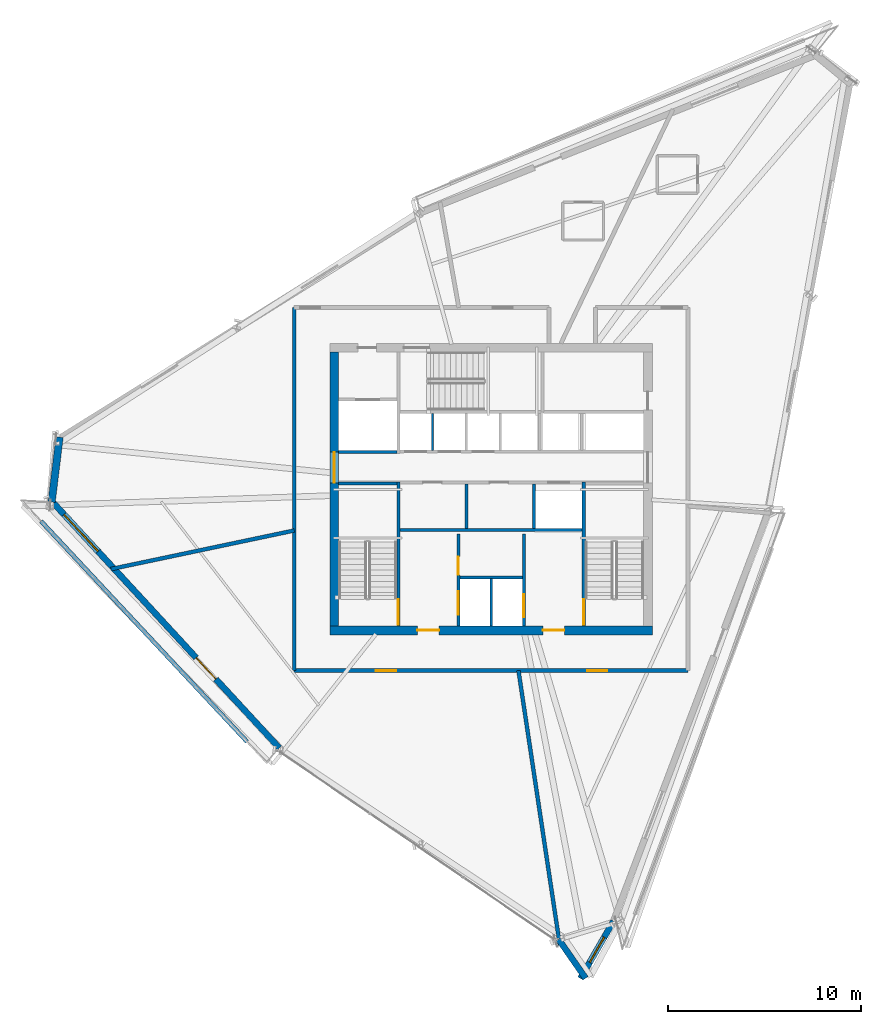
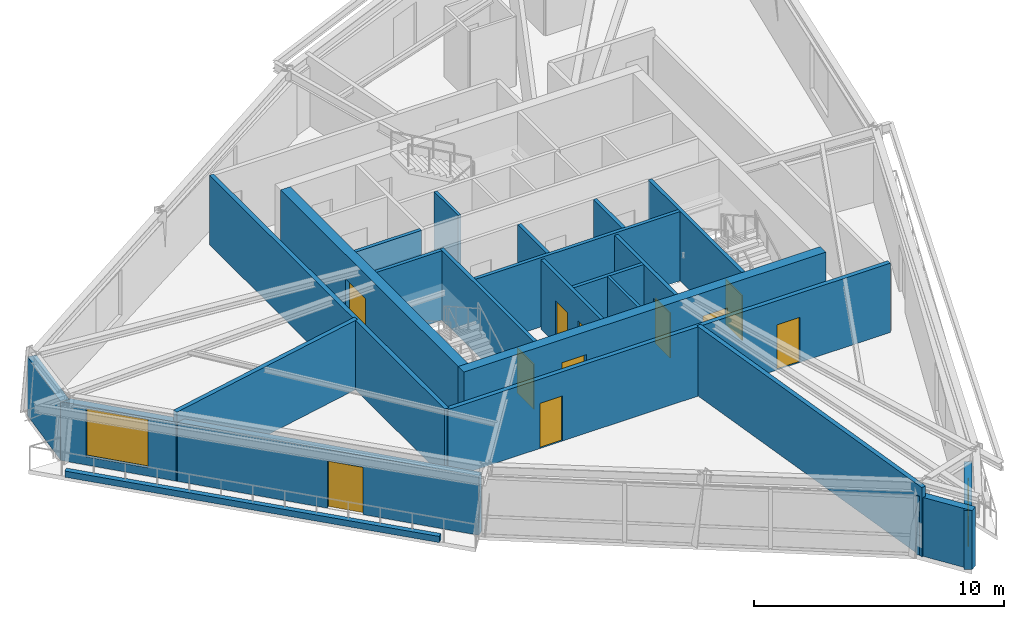
# One storey, part 8 of 13: 23 walls, 11 doors, 2 windows, 13 openings.
"""IFC4 building model written with IfcOpenShell, lengths in metres."""

from ifc_helpers import new_model, si_unit, direction, frame, frame_2d, origin, place, context, subcontext, project, spatial, rectangle, extrude, source, transform, mapped, material, layer, layer_set, type_object, type_shapes, element, fill, save


model = new_model("IFC4")

# Units and contexts
model_context = context("Model", 3, precision=1e-05, world=origin(), true_north=direction((0.0, 1.0)))
body_context = subcontext(model_context, "Body", "Model", "MODEL_VIEW")
ifc_project = project(units=[si_unit("LENGTHUNIT", "METRE"), si_unit("AREAUNIT", "SQUARE_METRE"), si_unit("VOLUMEUNIT", "CUBIC_METRE"), si_unit("PLANEANGLEUNIT", "RADIAN"), si_unit("MASSUNIT", "GRAM", prefix="KILO")], contexts=[model_context])

# Site, building, storey
site_placement = place(None, origin())
site = spatial("IfcSite", under=ifc_project, at=site_placement, CompositionType="ELEMENT")
building_placement = place(site_placement, origin())
building = spatial("IfcBuilding", under=site, at=building_placement, Name="Olszyna Solenne Hotel", CompositionType="ELEMENT")
storey_placement = place(building_placement, frame((0.0, 0.0, 241.699951171875)))
storey = spatial("IfcBuildingStorey", under=building, at=storey_placement, Name="L64", CompositionType="ELEMENT", Elevation=241.699951171875)

# Wall, openings, doors
ifc_material_1 = material(Name="Concrete C50/60", Category="concrete")
ifc_layer_1 = layer(ifc_material_1, 0.449951171875, Name="Concrete C50/60")
ifc_layer_set_1 = layer_set([ifc_layer_1], Name="Concrete C50/60")
wall_type_1 = type_object("IfcWallType", Name="WL-CR450", PredefinedType="SHEAR", material=ifc_layer_set_1)
wall_1_placement = place(storey_placement, frame((46.35009765625, 19.27490234375, 0.0), z_axis=(0.0, 0.0, 1.0), x_axis=(-1.0, 0.0, 0.0)))
wall_1 = element("IfcWall", 1, at=wall_1_placement, inside=storey, type_object=wall_type_1, Name="Core shear wall WL-CR450 CRW-L64-S", PredefinedType="SHEAR", context=body_context, shape_type="SweptSolid", body=[
    extrude(rectangle(XDim=16.7001953125, YDim=0.449951171875, at=frame_2d((8.35009765625, 0.0))), origin(), (0.0, 0.0, 1.0), 3.380126953125),
])
opening_1_placement = place(wall_1_placement, frame((4.550048828125, 0.0, 0.0)))
opening_1 = element("IfcOpeningElement", 2, at=opening_1_placement, cuts=wall_1, Name="Opening FL-L64-1", PredefinedType="OPENING", context=body_context, shape_type="SweptSolid", body=[
    extrude(rectangle(XDim=1.1201171875, YDim=2.25, at=frame_2d((0.56005859375, 1.125))), frame((0.0, 0.23486328125, 0.0), z_axis=(0.0, -1.0, 0.0), x_axis=(1.0, 0.0, 0.0)), (0.0, 0.0, 1.0), 0.469970703125),
])
opening_2_placement = place(wall_1_placement, frame((11.050048828125, 0.0, 0.0)))
opening_2 = element("IfcOpeningElement", 3, at=opening_2_placement, cuts=wall_1, Name="Opening FL-L64-2", PredefinedType="OPENING", context=body_context, shape_type="SweptSolid", body=[
    extrude(rectangle(XDim=1.1201171875, YDim=2.25, at=frame_2d((0.56005859375, 1.125))), frame((0.0, 0.23486328125, 0.0), z_axis=(0.0, -1.0, 0.0), x_axis=(1.0, 0.0, 0.0)), (0.0, 0.0, 1.0), 0.469970703125),
])
ifc_material_2 = material(Name="Steel S355J2", Category="steel")
door_type_1 = type_object("IfcDoorType", Name="DR-FL1", OperationType="NOTDEFINED", PredefinedType="DOOR", material=ifc_material_2)
shared_shape_1 = source(origin(), body_context, "Body", "SweptSolid", [
    extrude(rectangle(XDim=1.1201171875, YDim=2.25, at=frame_2d((0.56005859375, 1.125))), frame((0.0, 0.02490234375, 0.0), z_axis=(0.0, -1.0, 0.0), x_axis=(1.0, 0.0, 0.0)), (0.0, 0.0, 1.0), 0.050048828125),
])
type_shapes(door_type_1, [shared_shape_1])
door_1_placement = place(opening_1_placement, origin())
door_1 = element("IfcDoor", 4, at=door_1_placement, inside=storey, type_object=door_type_1, Name="Firefighting lift lobby smoke door FL-L64-1", OperationType="SINGLE_SWING_LEFT", OverallHeight=2.25, OverallWidth=1.1201171875, PredefinedType="DOOR", context=body_context, shape_type="MappedRepresentation", body=[
    mapped(shared_shape_1, transform((0.0, 0.0, 0.0), x_axis=(1.0, 0.0, 0.0), y_axis=(0.0, 1.0, 0.0), z_axis=(0.0, 0.0, 1.0), scale=1.0)),
])
fill(opening_1, door_1)
door_2_placement = place(opening_2_placement, origin())
door_2 = element("IfcDoor", 5, at=door_2_placement, inside=storey, type_object=door_type_1, Name="Firefighting lift lobby smoke door FL-L64-2", OperationType="SINGLE_SWING_RIGHT", OverallHeight=2.25, OverallWidth=1.1201171875, PredefinedType="DOOR", context=body_context, shape_type="MappedRepresentation", body=[
    mapped(shared_shape_1, transform((0.0, 0.0, 0.0), x_axis=(1.0, 0.0, 0.0), y_axis=(0.0, 1.0, 0.0), z_axis=(0.0, 0.0, 1.0), scale=1.0)),
])
fill(opening_2, door_2)

# Wall, opening, door
wall_2_placement = place(storey_placement, frame((29.875, 19.5, 0.0), z_axis=(0.0, 0.0, 1.0), x_axis=(0.0, 1.0, 0.0)))
wall_2 = element("IfcWall", 6, at=wall_2_placement, inside=storey, type_object=wall_type_1, Name="Core shear wall WL-CR450 CRW-L64-W", PredefinedType="SHEAR", context=body_context, shape_type="SweptSolid", body=[
    extrude(rectangle(XDim=14.199951171875, YDim=0.449951171875, at=frame_2d((7.10009765625, 0.0))), origin(), (0.0, 0.0, 1.0), 3.380126953125),
])
opening_3_placement = place(wall_2_placement, frame((7.419921875, 0.0, 0.0)))
opening_3 = element("IfcOpeningElement", 7, at=opening_3_placement, cuts=wall_2, Name="Opening LHD-L64-W", PredefinedType="OPENING", context=body_context, shape_type="SweptSolid", body=[
    extrude(rectangle(XDim=1.60009765625, YDim=2.199951171875, at=frame_2d((0.800048828125, 1.10009765625))), frame((0.0, 0.23486328125, 0.0), z_axis=(0.0, -1.0, 0.0), x_axis=(1.0, 0.0, 0.0)), (0.0, 0.0, 1.0), 0.469970703125),
])
ifc_material_3 = material(Name="Timber hardwood", Category="wood")
door_type_2 = type_object("IfcDoorType", Name="DR-CR1", OperationType="DOUBLE_DOOR_SINGLE_SWING", PredefinedType="DOOR", material=ifc_material_3)
shared_shape_2 = source(origin(), body_context, "Body", "SweptSolid", [
    extrude(rectangle(XDim=1.60009765625, YDim=2.199951171875, at=frame_2d((0.800048828125, 1.10009765625))), frame((0.0, 0.02490234375, 0.0), z_axis=(0.0, -1.0, 0.0), x_axis=(1.0, 0.0, 0.0)), (0.0, 0.0, 1.0), 0.050048828125),
])
type_shapes(door_type_2, [shared_shape_2])
door_3_placement = place(opening_3_placement, origin())
door_3 = element("IfcDoor", 8, at=door_3_placement, inside=storey, type_object=door_type_2, Name="Passenger lift lobby West fire door LHD-L64-W", OperationType="DOUBLE_DOOR_SINGLE_SWING", OverallHeight=2.199951171875, OverallWidth=1.60009765625, PredefinedType="DOOR", context=body_context, shape_type="MappedRepresentation", body=[
    mapped(shared_shape_2, transform((0.0, 0.0, 0.0), x_axis=(1.0, 0.0, 0.0), y_axis=(0.0, 1.0, 0.0), z_axis=(0.0, 0.0, 1.0), scale=1.0)),
])
fill(opening_3, door_3)

# Wall, opening, window
ifc_material_4 = material(Name="Precast concrete C45/55", Category="concrete")
ifc_layer_2 = layer(ifc_material_4, 0.320068359375, Name="Precast concrete C45/55")
ifc_layer_set_2 = layer_set([ifc_layer_2], Name="Precast concrete C45/55")
wall_type_2 = type_object("IfcWallType", Name="WL-EX320", PredefinedType="SOLIDWALL", material=ifc_layer_set_2)
wall_3_placement = place(storey_placement, frame((44.343505859375, 4.215087890625, 0.0), z_axis=(0.0, 0.0, 1.0), x_axis=(-0.500640512014, -0.865655288051, 0.0)))
wall_3 = element("IfcWall", 9, at=wall_3_placement, inside=storey, type_object=wall_type_2, Name="Exterior terracotta-precast frame wall WL-EX320 EW-L64-02", PredefinedType="SOLIDWALL", context=body_context, shape_type="SweptSolid", body=[
    extrude(rectangle(XDim=3.42919921875, YDim=0.320068359375, at=frame_2d((1.714599609375, 0.0))), origin(), (0.0, 0.0, 1.0), 2.8720703125),
])
opening_4_placement = place(wall_3_placement, frame((0.965087890625, 0.0, 0.451904296875)))
opening_4 = element("IfcOpeningElement", 10, at=opening_4_placement, cuts=wall_3, Name="Opening WN-L64-418", PredefinedType="OPENING", context=body_context, shape_type="SweptSolid", body=[
    extrude(rectangle(XDim=1.5, YDim=2.300048828125, at=frame_2d((0.75, 1.14990234375))), frame((0.0, 0.169921875, 0.0), z_axis=(0.0, -1.0, 0.0), x_axis=(1.0, 0.0, 0.0)), (0.0, 0.0, 1.0), 0.340087890625),
])
ifc_material_5 = material(Name="Low-E triple glazing", Category="glass")
window_type_1 = type_object("IfcWindowType", Name="WN-CH1", PartitioningType="SINGLE_PANEL", PredefinedType="WINDOW", material=ifc_material_5)
shared_shape_3 = source(origin(), body_context, "Body", "SweptSolid", [
    extrude(rectangle(XDim=1.5, YDim=2.300048828125, at=frame_2d((0.75, 1.14990234375))), frame((0.0, 0.030029296875, 0.0), z_axis=(0.0, -1.0, 0.0), x_axis=(1.0, 0.0, 0.0)), (0.0, 0.0, 1.0), 0.06005859375),
])
type_shapes(window_type_1, [shared_shape_3])
window_1_placement = place(opening_4_placement, origin())
window_1 = element("IfcWindow", 11, at=window_1_placement, inside=storey, type_object=window_type_1, Name="Exterior facade window WN-CH1 WN-L64-418", OverallHeight=2.300048828125, OverallWidth=1.5, PartitioningType="SINGLE_PANEL", PredefinedType="WINDOW", context=body_context, shape_type="MappedRepresentation", body=[
    mapped(shared_shape_3, transform((0.0, 0.0, 0.0), x_axis=(1.0, 0.0, 0.0), y_axis=(0.0, 1.0, 0.0), z_axis=(0.0, 0.0, 1.0), scale=1.0)),
])
fill(opening_4, window_1)

# Wall
wall_4_placement = place(storey_placement, frame((42.896484375, 1.2578125, 0.0), z_axis=(0.0, 0.0, 1.0), x_axis=(-0.569903262384, 0.821711793467, 0.0)))
element("IfcWall", 12, at=wall_4_placement, inside=storey, type_object=wall_type_2, Name="Exterior terracotta-precast frame wall WL-EX320 EW-L64-03", PredefinedType="SOLIDWALL", context=body_context, shape_type="SweptSolid", body=[
    extrude(rectangle(XDim=2.471435546875, YDim=0.320068359375, at=frame_2d((1.23583984375, 0.0))), origin(), (0.0, 0.0, 1.0), 2.8720703125),
])

# Wall, openings, door, window
wall_5_placement = place(storey_placement, frame((27.024169921875, 13.1875, 0.0), z_axis=(0.0, 0.0, 1.0), x_axis=(-0.677764411213, 0.735279132638, 0.0)))
wall_5 = element("IfcWall", 13, at=wall_5_placement, inside=storey, type_object=wall_type_2, Name="Exterior terracotta-precast frame wall WL-EX320 EW-L64-05", PredefinedType="SOLIDWALL", context=body_context, shape_type="SweptSolid", body=[
    extrude(rectangle(XDim=17.505615234375, YDim=0.320068359375, at=frame_2d((8.7529296875, 0.0))), origin(), (0.0, 0.0, 1.0), 2.8720703125),
])
opening_5_placement = place(wall_5_placement, frame((4.85205078125, 0.0, 0.0)))
opening_5 = element("IfcOpeningElement", 14, at=opening_5_placement, cuts=wall_5, Name="Opening LDG-L64-2", PredefinedType="OPENING", context=body_context, shape_type="SweptSolid", body=[
    extrude(rectangle(XDim=1.5, YDim=2.300048828125, at=frame_2d((0.75, 1.14990234375))), frame((0.0, 0.169921875, 0.0), z_axis=(0.0, -1.0, 0.0), x_axis=(1.0, 0.0, 0.0)), (0.0, 0.0, 1.0), 0.340087890625),
])
opening_6_placement = place(wall_5_placement, frame((13.85400390625, 0.0, 0.402099609375)))
opening_6 = element("IfcOpeningElement", 15, at=opening_6_placement, cuts=wall_5, Name="Opening WN-L64-419", PredefinedType="OPENING", context=body_context, shape_type="SweptSolid", body=[
    extrude(rectangle(XDim=2.60009765625, YDim=2.35009765625, at=frame_2d((1.300048828125, 1.175048828125))), frame((0.0, 0.169921875, 0.0), z_axis=(0.0, -1.0, 0.0), x_axis=(1.0, 0.0, 0.0)), (0.0, 0.0, 1.0), 0.340087890625),
])
ifc_material_6 = material(Name="Anodised bronze aluminium", Category="aluminium")
door_type_3 = type_object("IfcDoorType", Name="DR-LG2", OperationType="DOUBLE_DOOR_SINGLE_SWING", PredefinedType="DOOR", material=ifc_material_6)
shared_shape_4 = source(origin(), body_context, "Body", "SweptSolid", [
    extrude(rectangle(XDim=1.5, YDim=2.300048828125, at=frame_2d((0.75, 1.14990234375))), frame((0.0, 0.02490234375, 0.0), z_axis=(0.0, -1.0, 0.0), x_axis=(1.0, 0.0, 0.0)), (0.0, 0.0, 1.0), 0.050048828125),
])
type_shapes(door_type_3, [shared_shape_4])
door_4_placement = place(opening_5_placement, origin())
door_4 = element("IfcDoor", 16, at=door_4_placement, inside=storey, type_object=door_type_3, Name="Exterior loggia balcony door DR-LG2 LDG-L64-2", OperationType="DOUBLE_DOOR_SINGLE_SWING", OverallHeight=2.300048828125, OverallWidth=1.5, PredefinedType="DOOR", context=body_context, shape_type="MappedRepresentation", body=[
    mapped(shared_shape_4, transform((0.0, 0.0, 0.0), x_axis=(1.0, 0.0, 0.0), y_axis=(0.0, 1.0, 0.0), z_axis=(0.0, 0.0, 1.0), scale=1.0)),
])
fill(opening_5, door_4)
window_type_2 = type_object("IfcWindowType", Name="WN-ST1", PartitioningType="SINGLE_PANEL", PredefinedType="WINDOW", material=ifc_material_5)
shared_shape_5 = source(origin(), body_context, "Body", "SweptSolid", [
    extrude(rectangle(XDim=2.60009765625, YDim=2.35009765625, at=frame_2d((1.300048828125, 1.175048828125))), frame((0.0, 0.030029296875, 0.0), z_axis=(0.0, -1.0, 0.0), x_axis=(1.0, 0.0, 0.0)), (0.0, 0.0, 1.0), 0.06005859375),
])
type_shapes(window_type_2, [shared_shape_5])
window_2_placement = place(opening_6_placement, origin())
window_2 = element("IfcWindow", 17, at=window_2_placement, inside=storey, type_object=window_type_2, Name="Loggia room window WN-ST1 WN-L64-419", OverallHeight=2.35009765625, OverallWidth=2.60009765625, PartitioningType="SINGLE_PANEL", PredefinedType="WINDOW", context=body_context, shape_type="MappedRepresentation", body=[
    mapped(shared_shape_5, transform((0.0, 0.0, 0.0), x_axis=(1.0, 0.0, 0.0), y_axis=(0.0, 1.0, 0.0), z_axis=(0.0, 0.0, 1.0), scale=1.0)),
])
fill(opening_6, window_2)

# Walls
ifc_material_7 = material(Name="Terracotta cladding on precast concrete C45/55", Category="masonry")
ifc_layer_3 = layer(ifc_material_7, 0.3798828125, Name="Terracotta cladding on precast concrete C45/55")
ifc_layer_set_3 = layer_set([ifc_layer_3], Name="Terracotta cladding on precast concrete C45/55")
wall_type_3 = type_object("IfcWallType", Name="WL-EX380", PredefinedType="SOLIDWALL", material=ifc_layer_set_3)
wall_6_placement = place(storey_placement, frame((15.23046875, 25.927490234375, 0.0), z_axis=(0.0, 0.0, 1.0), x_axis=(0.121878844646, 0.992544984989, 0.0)))
element("IfcWall", 18, at=wall_6_placement, inside=storey, type_object=wall_type_3, Name="Exterior terracotta-precast frame wall WL-EX380 EW-L64-06", PredefinedType="SOLIDWALL", context=body_context, shape_type="SweptSolid", body=[
    extrude(rectangle(XDim=3.38720703125, YDim=0.3798828125, at=frame_2d((1.693603515625, 0.0))), origin(), (0.0, 0.0, 1.0), 2.8720703125),
])
ifc_layer_4 = layer(ifc_material_4, 0.219970703125, Name="Precast concrete C45/55")
ifc_layer_set_4 = layer_set([ifc_layer_4], Name="Precast concrete C45/55")
wall_type_4 = type_object("IfcWallType", Name="WL-PR220", PredefinedType="PARAPET", material=ifc_layer_set_4)
wall_7_placement = place(storey_placement, frame((14.681396484375, 24.935546875, 0.0), z_axis=(0.0, 0.0, 1.0), x_axis=(0.682707047276, -0.730692197577, 0.0)))
element("IfcWall", 19, at=wall_7_placement, inside=storey, type_object=wall_type_4, Name="Loggia balcony precast kerb PR-L64-LG2", PredefinedType="PARAPET", context=body_context, shape_type="SweptSolid", body=[
    extrude(rectangle(XDim=15.635009765625, YDim=0.219970703125, at=frame_2d((7.8173828125, 0.0))), origin(), (0.0, 0.0, 1.0), 0.300048828125),
])
ifc_material_8 = material(Name="Acoustic gypsum partition", Category="gypsum")
ifc_layer_5 = layer(ifc_material_8, 0.125, Name="Acoustic gypsum partition")
ifc_layer_set_5 = layer_set([ifc_layer_5], Name="Acoustic gypsum partition")
wall_type_5 = type_object("IfcWallType", Name="WL-PT125", PredefinedType="PARTITIONING", material=ifc_layer_set_5)
wall_8_placement = place(storey_placement, frame((38.0, 19.5, 0.0), z_axis=(0.0, 0.0, 1.0), x_axis=(0.0, 1.0, 0.0)))
element("IfcWall", 20, at=wall_8_placement, inside=storey, type_object=wall_type_5, Name="Core shaft compartment wall CW-L64-FFM", PredefinedType="PARTITIONING", context=body_context, shape_type="SweptSolid", body=[
    extrude(rectangle(XDim=2.4599609375, YDim=0.125, at=frame_2d((1.22998046875, 0.0))), origin(), (0.0, 0.0, 1.0), 3.380126953125),
])
wall_9_placement = place(storey_placement, frame((34.965087890625, 28.60009765625, 0.0), z_axis=(0.0, 0.0, 1.0), x_axis=(0.0, 1.0, 0.0)))
element("IfcWall", 21, at=wall_9_placement, inside=storey, type_object=wall_type_5, Name="Core shaft compartment wall CW-L64-DIVN349", PredefinedType="PARTITIONING", context=body_context, shape_type="SweptSolid", body=[
    extrude(rectangle(XDim=1.919921875, YDim=0.125, at=frame_2d((0.9599609375, 0.0))), origin(), (0.0, 0.0, 1.0), 3.380126953125),
])

# Wall, opening, door
ifc_layer_6 = layer(ifc_material_8, 0.159912109375, Name="Acoustic gypsum partition")
ifc_layer_set_6 = layer_set([ifc_layer_6], Name="Acoustic gypsum partition")
wall_type_6 = type_object("IfcWallType", Name="WL-PT160", PredefinedType="PARTITIONING", material=ifc_layer_set_6)
wall_10_placement = place(storey_placement, frame((33.199951171875, 19.5, 0.0), z_axis=(0.0, 0.0, 1.0), x_axis=(0.0, 1.0, 0.0)))
wall_10 = element("IfcWall", 22, at=wall_10_placement, inside=storey, type_object=wall_type_6, Name="Core shaft compartment wall CW-L64-ST1E", PredefinedType="PARTITIONING", context=body_context, shape_type="SweptSolid", body=[
    extrude(rectangle(XDim=7.4599609375, YDim=0.159912109375, at=frame_2d((3.72998046875, 0.0))), origin(), (0.0, 0.0, 1.0), 3.380126953125),
])
opening_7_placement = place(wall_10_placement, frame((0.080078125, 0.0, 0.0)))
opening_7 = element("IfcOpeningElement", 23, at=opening_7_placement, cuts=wall_10, Name="Opening STD-L64-01", PredefinedType="OPENING", context=body_context, shape_type="SweptSolid", body=[
    extrude(rectangle(XDim=1.320068359375, YDim=2.199951171875, at=frame_2d((0.66015625, 1.10009765625))), frame((0.0, 0.08984375, 0.0), z_axis=(0.0, -1.0, 0.0), x_axis=(1.0, 0.0, 0.0)), (0.0, 0.0, 1.0), 0.179931640625),
])
door_type_4 = type_object("IfcDoorType", Name="DR-ST1", OperationType="NOTDEFINED", PredefinedType="DOOR", material=ifc_material_2)
shared_shape_6 = source(origin(), body_context, "Body", "SweptSolid", [
    extrude(rectangle(XDim=1.320068359375, YDim=2.199951171875, at=frame_2d((0.66015625, 1.10009765625))), frame((0.0, 0.02490234375, 0.0), z_axis=(0.0, -1.0, 0.0), x_axis=(1.0, 0.0, 0.0)), (0.0, 0.0, 1.0), 0.050048828125),
])
type_shapes(door_type_4, [shared_shape_6])
door_5_placement = place(opening_7_placement, origin())
door_5 = element("IfcDoor", 24, at=door_5_placement, inside=storey, type_object=door_type_4, Name="Pressurised exit stair ST1 fire door STD-L64-01", OperationType="SINGLE_SWING_LEFT", OverallHeight=2.199951171875, OverallWidth=1.320068359375, PredefinedType="DOOR", context=body_context, shape_type="MappedRepresentation", body=[
    mapped(shared_shape_6, transform((0.0, 0.0, 0.0), x_axis=(1.0, 0.0, 0.0), y_axis=(0.0, 1.0, 0.0), z_axis=(0.0, 0.0, 1.0), scale=1.0)),
])
fill(opening_7, door_5)

# Wall
wall_11_placement = place(storey_placement, frame((30.10009765625, 26.8798828125, 0.0), z_axis=(0.0, 0.0, 1.0), x_axis=(1.0, 0.0, 0.0)))
element("IfcWall", 25, at=wall_11_placement, inside=storey, type_object=wall_type_6, Name="Core shaft compartment wall CW-L64-ST1N", PredefinedType="PARTITIONING", context=body_context, shape_type="SweptSolid", body=[
    extrude(rectangle(XDim=3.02001953125, YDim=0.159912109375, at=frame_2d((1.510009765625, 0.0))), origin(), (0.0, 0.0, 1.0), 3.380126953125),
])

# Wall, opening, door
wall_12_placement = place(storey_placement, frame((42.800048828125, 26.9599609375, 0.0), z_axis=(0.0, 0.0, 1.0), x_axis=(0.0, -1.0, 0.0)))
wall_12 = element("IfcWall", 26, at=wall_12_placement, inside=storey, type_object=wall_type_6, Name="Core shaft compartment wall CW-L64-ST2W", PredefinedType="PARTITIONING", context=body_context, shape_type="SweptSolid", body=[
    extrude(rectangle(XDim=7.4599609375, YDim=0.159912109375, at=frame_2d((3.72998046875, 0.0))), origin(), (0.0, 0.0, 1.0), 3.380126953125),
])
opening_8_placement = place(wall_12_placement, frame((6.06005859375, 0.0, 0.0)))
opening_8 = element("IfcOpeningElement", 27, at=opening_8_placement, cuts=wall_12, Name="Opening STD-L64-02", PredefinedType="OPENING", context=body_context, shape_type="SweptSolid", body=[
    extrude(rectangle(XDim=1.320068359375, YDim=2.199951171875, at=frame_2d((0.66015625, 1.10009765625))), frame((0.0, 0.08984375, 0.0), z_axis=(0.0, -1.0, 0.0), x_axis=(1.0, 0.0, 0.0)), (0.0, 0.0, 1.0), 0.179931640625),
])
door_6_placement = place(opening_8_placement, origin())
door_6 = element("IfcDoor", 28, at=door_6_placement, inside=storey, type_object=door_type_4, Name="Pressurised exit stair ST2 fire door STD-L64-02", OperationType="SINGLE_SWING_RIGHT", OverallHeight=2.199951171875, OverallWidth=1.320068359375, PredefinedType="DOOR", context=body_context, shape_type="MappedRepresentation", body=[
    mapped(shared_shape_6, transform((0.0, 0.0, 0.0), x_axis=(1.0, 0.0, 0.0), y_axis=(0.0, 1.0, 0.0), z_axis=(0.0, 0.0, 1.0), scale=1.0)),
])
fill(opening_8, door_6)

# Wall, openings, doors
wall_13_placement = place(storey_placement, frame((36.300048828125, 19.5, 0.0), z_axis=(0.0, 0.0, 1.0), x_axis=(0.0, 1.0, 0.0)))
wall_13 = element("IfcWall", 29, at=wall_13_placement, inside=storey, type_object=wall_type_6, Name="Core shaft compartment wall CW-L64-FF1W", PredefinedType="PARTITIONING", context=body_context, shape_type="SweptSolid", body=[
    extrude(rectangle(XDim=4.780029296875, YDim=0.159912109375, at=frame_2d((2.39013671875, 0.0))), origin(), (0.0, 0.0, 1.0), 3.380126953125),
])
opening_9_placement = place(wall_13_placement, frame((0.60009765625, 0.0, 0.0)))
opening_9 = element("IfcOpeningElement", 30, at=opening_9_placement, cuts=wall_13, Name="Opening LD-L64-FF1", PredefinedType="OPENING", context=body_context, shape_type="SweptSolid", body=[
    extrude(rectangle(XDim=1.199951171875, YDim=2.199951171875, at=frame_2d((0.60009765625, 1.10009765625))), frame((0.0, 0.08984375, 0.0), z_axis=(0.0, -1.0, 0.0), x_axis=(1.0, 0.0, 0.0)), (0.0, 0.0, 1.0), 0.179931640625),
])
opening_10_placement = place(wall_13_placement, frame((2.64990234375, 0.0, 0.0)))
opening_10 = element("IfcOpeningElement", 31, at=opening_10_placement, cuts=wall_13, Name="Opening SVD-L64-SMK", PredefinedType="OPENING", context=body_context, shape_type="SweptSolid", body=[
    extrude(rectangle(XDim=0.949951171875, YDim=2.10009765625, at=frame_2d((0.47509765625, 1.050048828125))), frame((0.0, 0.08984375, 0.0), z_axis=(0.0, -1.0, 0.0), x_axis=(1.0, 0.0, 0.0)), (0.0, 0.0, 1.0), 0.179931640625),
])
door_type_5 = type_object("IfcDoorType", Name="DR-SV1", OperationType="NOTDEFINED", PredefinedType="DOOR", material=ifc_material_2)
shared_shape_7 = source(origin(), body_context, "Body", "SweptSolid", [
    extrude(rectangle(XDim=0.949951171875, YDim=2.10009765625, at=frame_2d((0.47509765625, 1.050048828125))), frame((0.0, 0.02490234375, 0.0), z_axis=(0.0, -1.0, 0.0), x_axis=(1.0, 0.0, 0.0)), (0.0, 0.0, 1.0), 0.050048828125),
])
type_shapes(door_type_5, [shared_shape_7])
door_7_placement = place(opening_10_placement, origin())
door_7 = element("IfcDoor", 32, at=door_7_placement, inside=storey, type_object=door_type_5, Name="Valet and core service room door SVD-L64-SMK", OperationType="SINGLE_SWING_LEFT", OverallHeight=2.10009765625, OverallWidth=0.949951171875, PredefinedType="DOOR", context=body_context, shape_type="MappedRepresentation", body=[
    mapped(shared_shape_7, transform((0.0, 0.0, 0.0), x_axis=(1.0, 0.0, 0.0), y_axis=(0.0, 1.0, 0.0), z_axis=(0.0, 0.0, 1.0), scale=1.0)),
])
fill(opening_10, door_7)
door_type_6 = type_object("IfcDoorType", Name="LD-FF1", OperationType="DOUBLE_DOOR_SLIDING", PredefinedType="DOOR", material=ifc_material_2)
shared_shape_8 = source(origin(), body_context, "Body", "SweptSolid", [
    extrude(rectangle(XDim=1.199951171875, YDim=2.199951171875, at=frame_2d((0.60009765625, 1.10009765625))), frame((0.0, 0.02490234375, 0.0), z_axis=(0.0, -1.0, 0.0), x_axis=(1.0, 0.0, 0.0)), (0.0, 0.0, 1.0), 0.050048828125),
])
type_shapes(door_type_6, [shared_shape_8])
door_8_placement = place(opening_9_placement, origin())
door_8 = element("IfcDoor", 33, at=door_8_placement, inside=storey, type_object=door_type_6, Name="Firefighters lift FF1 sliding landing door LD-L64-FF1", OperationType="DOUBLE_DOOR_SLIDING", OverallHeight=2.199951171875, OverallWidth=1.199951171875, PredefinedType="DOOR", context=body_context, shape_type="MappedRepresentation", body=[
    mapped(shared_shape_8, transform((0.0, 0.0, 0.0), x_axis=(1.0, 0.0, 0.0), y_axis=(0.0, 1.0, 0.0), z_axis=(0.0, 0.0, 1.0), scale=1.0)),
])
fill(opening_9, door_8)

# Wall, opening, door
wall_14_placement = place(storey_placement, frame((39.699951171875, 24.280029296875, 0.0), z_axis=(0.0, 0.0, 1.0), x_axis=(0.0, -1.0, 0.0)))
wall_14 = element("IfcWall", 34, at=wall_14_placement, inside=storey, type_object=wall_type_6, Name="Core shaft compartment wall CW-L64-FF2E", PredefinedType="PARTITIONING", context=body_context, shape_type="SweptSolid", body=[
    extrude(rectangle(XDim=4.780029296875, YDim=0.159912109375, at=frame_2d((2.39013671875, 0.0))), origin(), (0.0, 0.0, 1.0), 3.380126953125),
])
opening_11_placement = place(wall_14_placement, frame((3.1201171875, 0.0, 0.0)))
opening_11 = element("IfcOpeningElement", 35, at=opening_11_placement, cuts=wall_14, Name="Opening LD-L64-FF2", PredefinedType="OPENING", context=body_context, shape_type="SweptSolid", body=[
    extrude(rectangle(XDim=1.199951171875, YDim=2.199951171875, at=frame_2d((0.60009765625, 1.10009765625))), frame((0.0, 0.08984375, 0.0), z_axis=(0.0, -1.0, 0.0), x_axis=(1.0, 0.0, 0.0)), (0.0, 0.0, 1.0), 0.179931640625),
])
door_9_placement = place(opening_11_placement, origin())
door_9 = element("IfcDoor", 36, at=door_9_placement, inside=storey, type_object=door_type_6, Name="Firefighters lift FF2 sliding landing door LD-L64-FF2", OperationType="DOUBLE_DOOR_SLIDING", OverallHeight=2.199951171875, OverallWidth=1.199951171875, PredefinedType="DOOR", context=body_context, shape_type="MappedRepresentation", body=[
    mapped(shared_shape_8, transform((0.0, 0.0, 0.0), x_axis=(1.0, 0.0, 0.0), y_axis=(0.0, 1.0, 0.0), z_axis=(0.0, 0.0, 1.0), scale=1.0)),
])
fill(opening_11, door_9)

# Walls
wall_15_placement = place(storey_placement, frame((36.3798828125, 22.02001953125, 0.0), z_axis=(0.0, 0.0, 1.0), x_axis=(1.0, 0.0, 0.0)))
element("IfcWall", 37, at=wall_15_placement, inside=storey, type_object=wall_type_6, Name="Core shaft compartment wall CW-L64-FFN", PredefinedType="PARTITIONING", context=body_context, shape_type="SweptSolid", body=[
    extrude(rectangle(XDim=3.240234375, YDim=0.159912109375, at=frame_2d((1.6201171875, 0.0))), origin(), (0.0, 0.0, 1.0), 3.380126953125),
])
wall_16_placement = place(storey_placement, frame((33.280029296875, 24.489990234375, 0.0), z_axis=(0.0, 0.0, 1.0), x_axis=(1.0, 0.0, 0.0)))
element("IfcWall", 38, at=wall_16_placement, inside=storey, type_object=wall_type_6, Name="Core shaft compartment wall CW-L64-FFBN", PredefinedType="PARTITIONING", context=body_context, shape_type="SweptSolid", body=[
    extrude(rectangle(XDim=9.43994140625, YDim=0.159912109375, at=frame_2d((4.719970703125, 0.0))), origin(), (0.0, 0.0, 1.0), 3.380126953125),
])
wall_17_placement = place(storey_placement, frame((30.10009765625, 28.52001953125, 0.0), z_axis=(0.0, 0.0, 1.0), x_axis=(1.0, 0.0, 0.0)))
element("IfcWall", 39, at=wall_17_placement, inside=storey, type_object=wall_type_6, Name="Core shaft compartment wall CW-L64-SV1S", PredefinedType="PARTITIONING", context=body_context, shape_type="SweptSolid", body=[
    extrude(rectangle(XDim=3.02001953125, YDim=0.159912109375, at=frame_2d((1.510009765625, 0.0))), origin(), (0.0, 0.0, 1.0), 3.380126953125),
])
for number, where, z_axis, x_axis, name in (
    (40, (36.72998046875, 24.56005859375, 0.0), (0.0, 0.0, 1.0), (0.0, 1.0, 0.0), "Core shaft compartment wall CW-L64-LV7DIV1"),
    (41, (40.215087890625, 24.56005859375, 0.0), (0.0, 0.0, 1.0), (0.0, 1.0, 0.0), "Core shaft compartment wall CW-L64-LV7DIV2"),
):
    element("IfcWall", number, at=place(storey_placement, frame(where, z_axis=z_axis, x_axis=x_axis)), inside=storey, type_object=wall_type_6, Name=name, PredefinedType="PARTITIONING", context=body_context, shape_type="SweptSolid", body=[
        extrude(rectangle(XDim=2.31005859375, YDim=0.159912109375, at=frame_2d((1.155029296875, 0.0))), origin(), (0.0, 0.0, 1.0), 3.380126953125),
    ])
ifc_layer_7 = layer(ifc_material_8, 0.199951171875, Name="Acoustic gypsum partition")
ifc_layer_set_7 = layer_set([ifc_layer_7], Name="Acoustic gypsum partition")
wall_type_7 = type_object("IfcWallType", Name="WL-PT200", PredefinedType="PARTITIONING", material=ifc_layer_set_7)
wall_18_placement = place(storey_placement, frame((27.800048828125, 24.453369140625, 0.0), z_axis=(0.0, 0.0, 1.0), x_axis=(-0.978564998711, -0.205938202619, 0.0)))
element("IfcWall", 42, at=wall_18_placement, inside=storey, type_object=wall_type_7, Name="Interior acoustic partition WL-PT200 PW-L64-3533", PredefinedType="PARTITIONING", context=body_context, shape_type="SweptSolid", body=[
    extrude(rectangle(XDim=9.703369140625, YDim=0.199951171875, at=frame_2d((4.8515625, 0.0))), origin(), (0.0, 0.0, 1.0), 3.380126953125),
])
wall_19_placement = place(storey_placement, frame((39.41650390625, 17.199951171875, 0.0), z_axis=(0.0, 0.0, 1.0), x_axis=(0.149026402879, -0.988833217102, 0.0)))
element("IfcWall", 43, at=wall_19_placement, inside=storey, type_object=wall_type_7, Name="Interior acoustic partition WL-PT200 PW-L64-3534", PredefinedType="PARTITIONING", context=body_context, shape_type="SweptSolid", body=[
    extrude(rectangle(XDim=14.409912109375, YDim=0.199951171875, at=frame_2d((7.205078125, 0.0))), origin(), (0.0, 0.0, 1.0), 3.380126953125),
])

# Wall, openings, doors
wall_20_placement = place(storey_placement, frame((27.800048828125, 17.199951171875, 0.0), z_axis=(0.0, 0.0, 1.0), x_axis=(1.0, 0.0, 0.0)))
wall_20 = element("IfcWall", 44, at=wall_20_placement, inside=storey, type_object=wall_type_7, Name="Interior acoustic partition WL-PT200 PW-L64-3545", PredefinedType="PARTITIONING", context=body_context, shape_type="SweptSolid", body=[
    extrude(rectangle(XDim=20.39990234375, YDim=0.199951171875, at=frame_2d((10.199951171875, 0.0))), origin(), (0.0, 0.0, 1.0), 3.380126953125),
])
opening_12_placement = place(wall_20_placement, frame((4.23095703125, 0.0, 0.0)))
opening_12 = element("IfcOpeningElement", 45, at=opening_12_placement, cuts=wall_20, Name="Opening DR-L64-0862", PredefinedType="OPENING", context=body_context, shape_type="SweptSolid", body=[
    extrude(rectangle(XDim=1.050048828125, YDim=2.199951171875, at=frame_2d((0.52490234375, 1.10009765625))), frame((0.0, 0.10986328125, 0.0), z_axis=(0.0, -1.0, 0.0), x_axis=(1.0, 0.0, 0.0)), (0.0, 0.0, 1.0), 0.219970703125),
])
opening_13_placement = place(wall_20_placement, frame((15.174072265625, 0.0, 0.0)))
opening_13 = element("IfcOpeningElement", 46, at=opening_13_placement, cuts=wall_20, Name="Opening DR-L64-0863", PredefinedType="OPENING", context=body_context, shape_type="SweptSolid", body=[
    extrude(rectangle(XDim=1.050048828125, YDim=2.199951171875, at=frame_2d((0.52490234375, 1.10009765625))), frame((0.0, 0.10986328125, 0.0), z_axis=(0.0, -1.0, 0.0), x_axis=(1.0, 0.0, 0.0)), (0.0, 0.0, 1.0), 0.219970703125),
])
door_type_7 = type_object("IfcDoorType", Name="DR-RM2", OperationType="NOTDEFINED", PredefinedType="DOOR", material=ifc_material_3)
shared_shape_9 = source(origin(), body_context, "Body", "SweptSolid", [
    extrude(rectangle(XDim=1.050048828125, YDim=2.199951171875, at=frame_2d((0.52490234375, 1.10009765625))), frame((0.0, 0.02490234375, 0.0), z_axis=(0.0, -1.0, 0.0), x_axis=(1.0, 0.0, 0.0)), (0.0, 0.0, 1.0), 0.050048828125),
])
type_shapes(door_type_7, [shared_shape_9])
door_10_placement = place(opening_12_placement, origin())
door_10 = element("IfcDoor", 47, at=door_10_placement, inside=storey, type_object=door_type_7, Name="Breakfast Tasting Salon Entrance Door DR-L64-0862", OperationType="SINGLE_SWING_RIGHT", OverallHeight=2.199951171875, OverallWidth=1.050048828125, PredefinedType="DOOR", context=body_context, shape_type="MappedRepresentation", body=[
    mapped(shared_shape_9, transform((0.0, 0.0, 0.0), x_axis=(1.0, 0.0, 0.0), y_axis=(0.0, 1.0, 0.0), z_axis=(0.0, 0.0, 1.0), scale=1.0)),
])
fill(opening_12, door_10)
door_11_placement = place(opening_13_placement, origin())
door_11 = element("IfcDoor", 48, at=door_11_placement, inside=storey, type_object=door_type_7, Name="Sommelier Tasting Lounge Entrance Door DR-L64-0863", OperationType="SINGLE_SWING_LEFT", OverallHeight=2.199951171875, OverallWidth=1.050048828125, PredefinedType="DOOR", context=body_context, shape_type="MappedRepresentation", body=[
    mapped(shared_shape_9, transform((0.0, 0.0, 0.0), x_axis=(1.0, 0.0, 0.0), y_axis=(0.0, 1.0, 0.0), z_axis=(0.0, 0.0, 1.0), scale=1.0)),
])
fill(opening_13, door_11)

# Wall
wall_21_placement = place(storey_placement, frame((27.800048828125, 17.199951171875, 0.0), z_axis=(0.0, 0.0, 1.0), x_axis=(0.0, 1.0, 0.0)))
element("IfcWall", 49, at=wall_21_placement, inside=storey, type_object=wall_type_7, Name="Interior acoustic partition WL-PT200 PW-L64-3546", PredefinedType="PARTITIONING", context=body_context, shape_type="SweptSolid", body=[
    extrude(rectangle(XDim=18.800048828125, YDim=0.199951171875, at=frame_2d((9.39990234375, 0.0))), origin(), (0.0, 0.0, 1.0), 3.380126953125),
])

save(model, "model.ifc")
